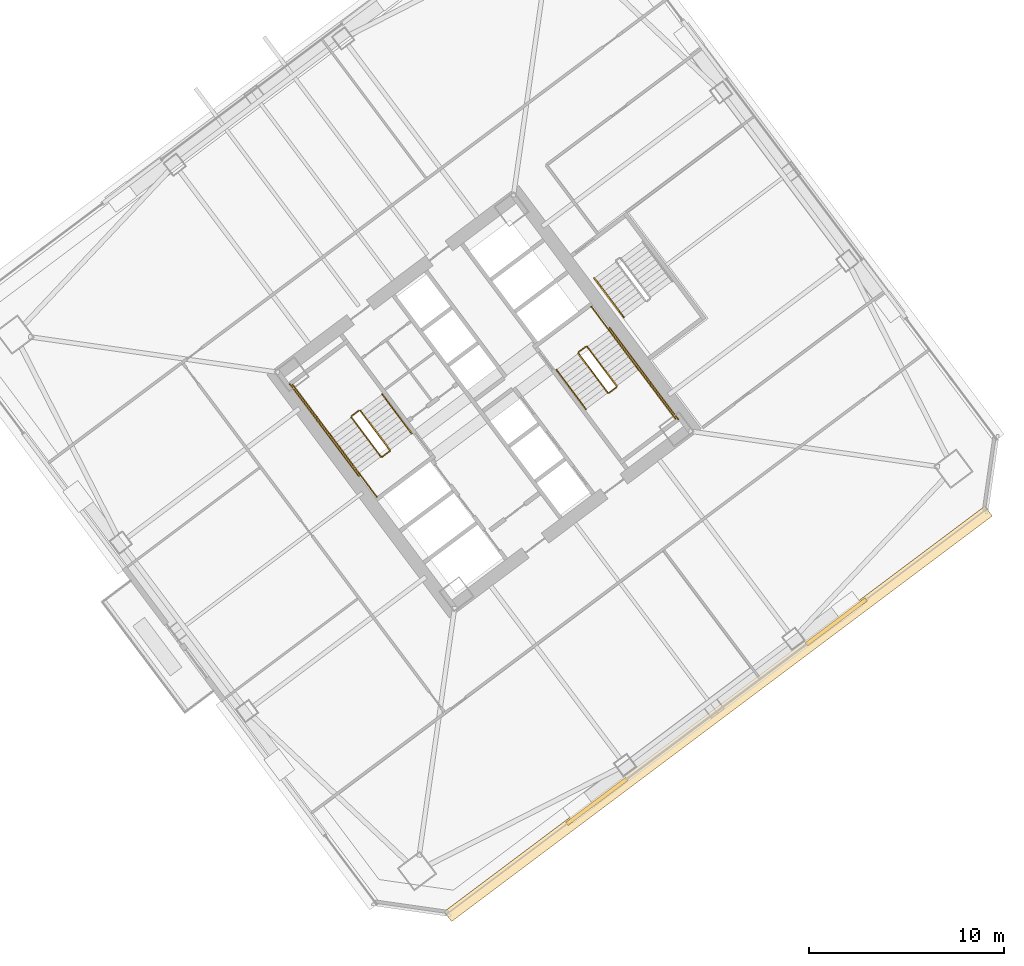
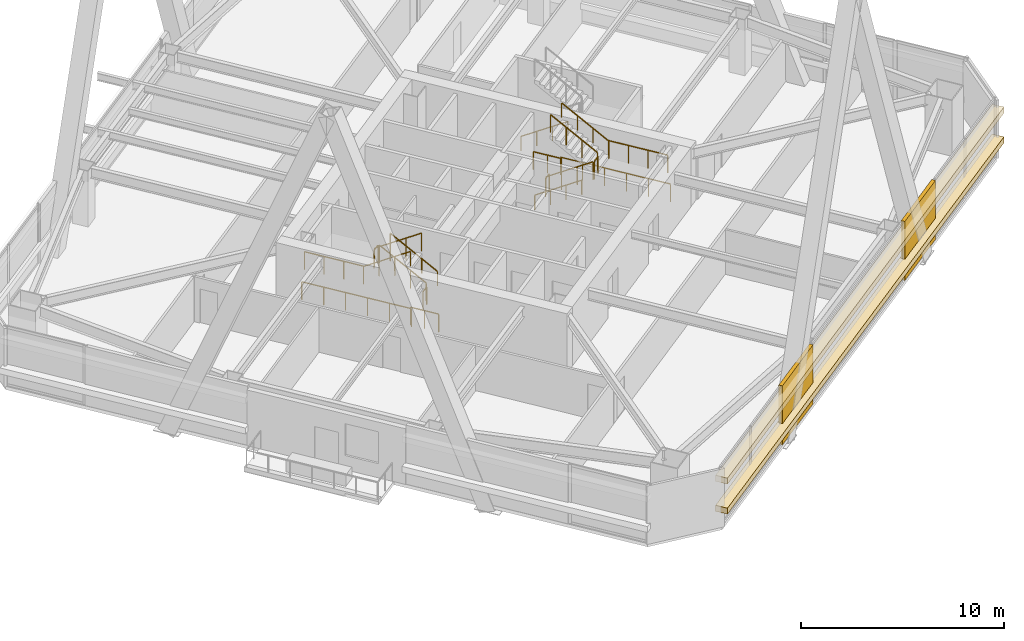
# One storey, part 51 of 54: 19 railings, 4 coverings.
"""IFC4 building model written with IfcOpenShell, lengths in metres."""

from ifc_helpers import new_model, si_unit, direction, frame, origin, origin_2d, place, context, subcontext, project, spatial, rectangle, extrude, material, layer, layer_set, type_object, element, save


model = new_model("IFC4")

# Units and contexts
model_context = context("Model", 3, precision=1e-05, world=origin(), true_north=direction((0.0, 1.0)))
body_context = subcontext(model_context, "Body", "Model", "MODEL_VIEW")
ifc_project = project(units=[si_unit("LENGTHUNIT", "METRE"), si_unit("AREAUNIT", "SQUARE_METRE"), si_unit("VOLUMEUNIT", "CUBIC_METRE"), si_unit("PLANEANGLEUNIT", "RADIAN"), si_unit("MASSUNIT", "GRAM", prefix="KILO")], contexts=[model_context])

# Site, building, storey
site_placement = place(None, origin())
site = spatial("IfcSite", under=ifc_project, at=site_placement, CompositionType="ELEMENT")
building_placement = place(site_placement, origin())
building = spatial("IfcBuilding", under=site, at=building_placement, Name="Tashvorn Skyway Center", CompositionType="ELEMENT")
storey_placement = place(building_placement, frame((0.0, 0.0, 88.5)))
storey = spatial("IfcBuildingStorey", under=building, at=storey_placement, Name="L23", CompositionType="ELEMENT", Elevation=88.5)

# Coverings
ifc_material_1 = material(Name="Precast concrete C40/50", Category="concrete")
ifc_layer_1 = layer(ifc_material_1, 0.199951171875)
ifc_layer_set_1 = layer_set([ifc_layer_1], Name="Precast concrete C40/50")
covering_type_1 = type_object("IfcCoveringType", Name="COV-BRACE-CLAD", PredefinedType="CLADDING", material=ifc_layer_set_1)
for number, where, z_axis, x_axis, name in (
    (1, (132.072021484375, 20.7041015625, 0.0), (0.0, 0.0, 1.0), (-0.799999996291, -0.600000004945, 0.0), "Tower 2 L23 South Unitised Curtain Wall Mega-Brace Cladding Band 1"),
    (2, (119.783935546875, 11.488037109375, 0.0), (0.0, 0.0, 1.0), (-0.799999996291, -0.600000004945, 0.0), "Tower 2 L23 South Unitised Curtain Wall Mega-Brace Cladding Band 2"),
):
    element("IfcCovering", number, at=place(storey_placement, frame(where, z_axis=z_axis, x_axis=x_axis)), inside=storey, type_object=covering_type_1, Name=name, PredefinedType="CLADDING", context=body_context, shape_type="SweptSolid", body=[
        extrude(rectangle(XDim=3.840087890625, YDim=0.199951171875, at=origin_2d()), origin(), (0.0, 0.0, 1.0), 3.550048828125),
    ])
ifc_material_2 = material(Name="Perforated ceramic-coated bronze aluminium solar screen", Category="aluminium")
ifc_layer_2 = layer(ifc_material_2, 0.85009765625)
ifc_layer_set_2 = layer_set([ifc_layer_2], Name="Perforated ceramic-coated bronze aluminium solar screen")
covering_type_2 = type_object("IfcCoveringType", Name="COV-SOLAR-BAND", PredefinedType="CLADDING", material=ifc_layer_set_2)
for number, where, z_axis, x_axis, name in (
    (3, (126.011962890625, 15.98388671875, 0.919921875), (0.0, 0.0, 1.0), (-0.799999996291, -0.600000004945, 0.0), "L23 Perforated Ceramic-Metal Solar Screen Louvre Band South 1"),
    (4, (126.011962890625, 15.98388671875, 2.7197265625), (0.0, 0.0, 1.0), (-0.799999996291, -0.600000004945, 0.0), "L23 Perforated Ceramic-Metal Solar Screen Louvre Band South 2"),
):
    element("IfcCovering", number, at=place(storey_placement, frame(where, z_axis=z_axis, x_axis=x_axis)), inside=storey, type_object=covering_type_2, Name=name, PredefinedType="CLADDING", context=body_context, shape_type="SweptSolid", body=[
        extrude(rectangle(XDim=34.679931640625, YDim=0.639892578125, at=origin_2d()), origin(), (0.0, 0.0, 1.0), 0.360107421875),
    ])

# Railings
ifc_material_3 = material(Name="Brushed stainless steel 316", Category="steel")
railing_type_1 = type_object("IfcRailingType", Name="RAIL-HAND-920", PredefinedType="HANDRAIL", material=ifc_material_3)
railing_1_placement = place(storey_placement, frame((110.2880859375, 30.365966796875, 0.177490234375)))
element("IfcRailing", 5, at=railing_1_placement, inside=storey, type_object=railing_type_1, Name="L23 ST-T2-1 stair handrail 1", PredefinedType="HANDRAIL", context=body_context, shape_type="SweptSolid", body=[
    extrude(rectangle(XDim=0.048095703125, YDim=0.048095703125, at=origin_2d()), frame((0.0, 0.0, 0.8759765625), z_axis=(-0.506801609611, 0.675680931896, 0.535357270211), x_axis=(-0.799976749893, -0.600030998891, 0.0)), (0.0, 0.0, 1.0), 2.98388671875),
    extrude(rectangle(XDim=0.0419921875, YDim=0.0419921875, at=origin_2d()), origin(), (0.0, 0.0, 1.0), 0.851806640625),
    extrude(rectangle(XDim=0.0419921875, YDim=0.0419921875, at=origin_2d()), frame((-0.504150390625, 0.672119140625, 0.532470703125)), (0.0, 0.0, 1.0), 0.851806640625),
    extrude(rectangle(XDim=0.0419921875, YDim=0.0419921875, at=origin_2d()), frame((-1.008056640625, 1.343994140625, 1.06494140625)), (0.0, 0.0, 1.0), 0.851806640625),
    extrude(rectangle(XDim=0.0419921875, YDim=0.0419921875, at=origin_2d()), frame((-1.51220703125, 2.01611328125, 1.597412109375)), (0.0, 0.0, 1.0), 0.851806640625),
])
railing_2_placement = place(storey_placement, frame((106.072021484375, 30.35400390625, 1.952392578125)))
element("IfcRailing", 6, at=railing_2_placement, inside=storey, type_object=railing_type_1, Name="L23 ST-T2-1 stair handrail 2", PredefinedType="HANDRAIL", context=body_context, shape_type="SweptSolid", body=[
    extrude(rectangle(XDim=0.048095703125, YDim=0.048095703125, at=origin_2d()), frame((0.0, 0.0, 0.8759765625), z_axis=(0.506718600913, -0.675679348675, 0.535437836974), x_axis=(0.800023250257, 0.599968998406, 0.0)), (0.0, 0.0, 1.0), 2.98388671875),
    extrude(rectangle(XDim=0.0419921875, YDim=0.0419921875, at=origin_2d()), origin(), (0.0, 0.0, 1.0), 0.851806640625),
    extrude(rectangle(XDim=0.0419921875, YDim=0.0419921875, at=origin_2d()), frame((0.50390625, -0.672119140625, 0.532470703125)), (0.0, 0.0, 1.0), 0.851806640625),
    extrude(rectangle(XDim=0.0419921875, YDim=0.0419921875, at=origin_2d()), frame((1.008056640625, -1.343994140625, 1.065185546875)), (0.0, 0.0, 1.0), 0.851806640625),
    extrude(rectangle(XDim=0.0419921875, YDim=0.0419921875, at=origin_2d()), frame((1.511962890625, -2.01611328125, 1.59765625)), (0.0, 0.0, 1.0), 0.851806640625),
])
railing_3_placement = place(storey_placement, frame((117.7119140625, 33.634033203125, 0.177490234375)))
element("IfcRailing", 7, at=railing_3_placement, inside=storey, type_object=railing_type_1, Name="L23 ST-T2-2 stair handrail 1", PredefinedType="HANDRAIL", context=body_context, shape_type="SweptSolid", body=[
    extrude(rectangle(XDim=0.048095703125, YDim=0.048095703125, at=origin_2d()), frame((0.0, 0.0, 0.8759765625), z_axis=(0.506801609611, -0.675680931896, 0.535357270211), x_axis=(0.799976749893, 0.600030998891, 0.0)), (0.0, 0.0, 1.0), 2.98388671875),
    extrude(rectangle(XDim=0.0419921875, YDim=0.0419921875, at=origin_2d()), origin(), (0.0, 0.0, 1.0), 0.851806640625),
    extrude(rectangle(XDim=0.0419921875, YDim=0.0419921875, at=origin_2d()), frame((0.504150390625, -0.672119140625, 0.532470703125)), (0.0, 0.0, 1.0), 0.851806640625),
    extrude(rectangle(XDim=0.0419921875, YDim=0.0419921875, at=origin_2d()), frame((1.008056640625, -1.343994140625, 1.06494140625)), (0.0, 0.0, 1.0), 0.851806640625),
    extrude(rectangle(XDim=0.0419921875, YDim=0.0419921875, at=origin_2d()), frame((1.51220703125, -2.01611328125, 1.597412109375)), (0.0, 0.0, 1.0), 0.851806640625),
])
railing_4_placement = place(storey_placement, frame((121.927978515625, 33.64599609375, 1.952392578125)))
element("IfcRailing", 8, at=railing_4_placement, inside=storey, type_object=railing_type_1, Name="L23 ST-T2-2 stair handrail 2", PredefinedType="HANDRAIL", context=body_context, shape_type="SweptSolid", body=[
    extrude(rectangle(XDim=0.048095703125, YDim=0.048095703125, at=origin_2d()), frame((0.0, 0.0, 0.8759765625), z_axis=(-0.506718600913, 0.675679348675, 0.535437836974), x_axis=(-0.800023250257, -0.599968998406, 0.0)), (0.0, 0.0, 1.0), 2.98388671875),
    extrude(rectangle(XDim=0.0419921875, YDim=0.0419921875, at=origin_2d()), origin(), (0.0, 0.0, 1.0), 0.851806640625),
    extrude(rectangle(XDim=0.0419921875, YDim=0.0419921875, at=origin_2d()), frame((-0.50390625, 0.672119140625, 0.532470703125)), (0.0, 0.0, 1.0), 0.851806640625),
    extrude(rectangle(XDim=0.0419921875, YDim=0.0419921875, at=origin_2d()), frame((-1.008056640625, 1.343994140625, 1.065185546875)), (0.0, 0.0, 1.0), 0.851806640625),
    extrude(rectangle(XDim=0.0419921875, YDim=0.0419921875, at=origin_2d()), frame((-1.511962890625, 2.01611328125, 1.59765625)), (0.0, 0.0, 1.0), 0.851806640625),
])
railing_5_placement = place(storey_placement, frame((119.656005859375, 38.342041015625, 0.177490234375)))
element("IfcRailing", 9, at=railing_5_placement, inside=storey, type_object=railing_type_1, Name="L23 ST-T2-3 stair handrail 1", PredefinedType="HANDRAIL", context=body_context, shape_type="SweptSolid", body=[
    extrude(rectangle(XDim=0.048095703125, YDim=0.048095703125, at=origin_2d()), frame((0.0, 0.0, 0.8759765625), z_axis=(0.506740800098, -0.675708949977, 0.535379469569), x_axis=(0.800023250257, 0.599968998406, 0.0)), (0.0, 0.0, 1.0), 2.983642578125),
    extrude(rectangle(XDim=0.0419921875, YDim=0.0419921875, at=origin_2d()), origin(), (0.0, 0.0, 1.0), 0.851806640625),
    extrude(rectangle(XDim=0.0419921875, YDim=0.0419921875, at=origin_2d()), frame((0.50390625, -0.672119140625, 0.532470703125)), (0.0, 0.0, 1.0), 0.851806640625),
    extrude(rectangle(XDim=0.0419921875, YDim=0.0419921875, at=origin_2d()), frame((1.008056640625, -1.343994140625, 1.06494140625)), (0.0, 0.0, 1.0), 0.851806640625),
    extrude(rectangle(XDim=0.0419921875, YDim=0.0419921875, at=origin_2d()), frame((1.511962890625, -2.01611328125, 1.597412109375)), (0.0, 0.0, 1.0), 0.851806640625),
])
ifc_material_4 = material(Name="Painted galvanized steel S355", Category="steel")
railing_type_2 = type_object("IfcRailingType", Name="RAIL-STGUARD-1100", PredefinedType="GUARDRAIL", material=ifc_material_4)
railing_6_placement = place(storey_placement, frame((109.16796875, 29.52587890625, 0.177490234375)))
element("IfcRailing", 10, at=railing_6_placement, inside=storey, type_object=railing_type_2, Name="L23 ST-T2-1 stair guard 1", PredefinedType="GUARDRAIL", context=body_context, shape_type="SweptSolid", body=[
    extrude(rectangle(XDim=0.048095703125, YDim=0.048095703125, at=origin_2d()), frame((0.0, 0.0, 1.076171875), z_axis=(-0.506740800098, 0.675708949977, 0.535379469569), x_axis=(-0.800023250257, -0.599968998406, 0.0)), (0.0, 0.0, 1.0), 2.983642578125),
    extrude(rectangle(XDim=0.0419921875, YDim=0.0419921875, at=origin_2d()), origin(), (0.0, 0.0, 1.0), 1.052001953125),
    extrude(rectangle(XDim=0.0419921875, YDim=0.0419921875, at=origin_2d()), frame((-0.50390625, 0.672119140625, 0.532470703125)), (0.0, 0.0, 1.0), 1.052001953125),
    extrude(rectangle(XDim=0.0419921875, YDim=0.0419921875, at=origin_2d()), frame((-1.008056640625, 1.343994140625, 1.06494140625)), (0.0, 0.0, 1.0), 1.052001953125),
    extrude(rectangle(XDim=0.0419921875, YDim=0.0419921875, at=origin_2d()), frame((-1.511962890625, 2.01611328125, 1.597412109375)), (0.0, 0.0, 1.0), 1.052001953125),
])
railing_7_placement = place(storey_placement, frame((107.5859375, 31.552001953125, 1.77490234375)))
element("IfcRailing", 11, at=railing_7_placement, inside=storey, type_object=railing_type_2, Name="L23 ST-T2-1 stair guard 2", PredefinedType="GUARDRAIL", context=body_context, shape_type="SweptSolid", body=[
    extrude(rectangle(XDim=0.048095703125, YDim=0.048095703125, at=origin_2d()), frame((0.0, 0.0, 1.076171875), z_axis=(-0.799938970639, -0.600081363861, 0.0), x_axis=(0.600081363861, -0.799938970639, 0.0)), (0.0, 0.0, 1.0), 0.47998046875),
    extrude(rectangle(XDim=0.0419921875, YDim=0.0419921875, at=origin_2d()), origin(), (0.0, 0.0, 1.0), 1.052001953125),
    extrude(rectangle(XDim=0.0419921875, YDim=0.0419921875, at=origin_2d()), frame((-0.384033203125, -0.2880859375, 0.0)), (0.0, 0.0, 1.0), 1.052001953125),
])
railing_8_placement = place(storey_placement, frame((106.072021484375, 30.35400390625, 1.77490234375)))
element("IfcRailing", 12, at=railing_8_placement, inside=storey, type_object=railing_type_2, Name="L23 ST-T2-1 stair guard 3", PredefinedType="GUARDRAIL", context=body_context, shape_type="SweptSolid", body=[
    extrude(rectangle(XDim=0.048095703125, YDim=0.048095703125, at=origin_2d()), frame((0.0, 0.0, 1.076171875), z_axis=(-0.599987638607, 0.800009270896, 0.0), x_axis=(-0.800009270896, -0.599987638607, 0.0)), (0.0, 0.0, 1.0), 3.16015625),
    extrude(rectangle(XDim=0.0419921875, YDim=0.0419921875, at=origin_2d()), origin(), (0.0, 0.0, 1.0), 1.052001953125),
    extrude(rectangle(XDim=0.0419921875, YDim=0.0419921875, at=origin_2d()), frame((-0.632080078125, 0.8427734375, 0.0)), (0.0, 0.0, 1.0), 1.052001953125),
    extrude(rectangle(XDim=0.0419921875, YDim=0.0419921875, at=origin_2d()), frame((-1.263916015625, 1.685302734375, 0.0)), (0.0, 0.0, 1.0), 1.052001953125),
    extrude(rectangle(XDim=0.0419921875, YDim=0.0419921875, at=origin_2d()), frame((-1.89599609375, 2.528076171875, 0.0)), (0.0, 0.0, 1.0), 1.052001953125),
])
railing_9_placement = place(storey_placement, frame((107.19189453125, 31.194091796875, 1.952392578125)))
element("IfcRailing", 13, at=railing_9_placement, inside=storey, type_object=railing_type_2, Name="L23 ST-T2-1 stair guard 4", PredefinedType="GUARDRAIL", context=body_context, shape_type="SweptSolid", body=[
    extrude(rectangle(XDim=0.048095703125, YDim=0.048095703125, at=origin_2d()), frame((0.0, 0.0, 1.076171875), z_axis=(0.506779409603, -0.675651334276, 0.53541563714), x_axis=(0.799976749893, 0.600030998891, 0.0)), (0.0, 0.0, 1.0), 2.98388671875),
    extrude(rectangle(XDim=0.0419921875, YDim=0.0419921875, at=origin_2d()), origin(), (0.0, 0.0, 1.0), 1.052001953125),
    extrude(rectangle(XDim=0.0419921875, YDim=0.0419921875, at=origin_2d()), frame((0.504150390625, -0.672119140625, 0.532470703125)), (0.0, 0.0, 1.0), 1.052001953125),
    extrude(rectangle(XDim=0.0419921875, YDim=0.0419921875, at=origin_2d()), frame((1.008056640625, -1.343994140625, 1.065185546875)), (0.0, 0.0, 1.0), 1.052001953125),
    extrude(rectangle(XDim=0.0419921875, YDim=0.0419921875, at=origin_2d()), frame((1.51220703125, -2.01611328125, 1.59765625)), (0.0, 0.0, 1.0), 1.052001953125),
])
railing_10_placement = place(storey_placement, frame((109.157958984375, 29.4560546875, 0.0)))
element("IfcRailing", 14, at=railing_10_placement, inside=storey, type_object=railing_type_2, Name="L23 ST-T2-1 stair guard 5", PredefinedType="GUARDRAIL", context=body_context, shape_type="SweptSolid", body=[
    extrude(rectangle(XDim=0.048095703125, YDim=0.048095703125, at=origin_2d()), frame((0.0, 0.0, 1.076171875), z_axis=(-0.799938970639, -0.600081363861, 0.0), x_axis=(0.600081363861, -0.799938970639, 0.0)), (0.0, 0.0, 1.0), 0.47998046875),
    extrude(rectangle(XDim=0.0419921875, YDim=0.0419921875, at=origin_2d()), origin(), (0.0, 0.0, 1.0), 1.052001953125),
    extrude(rectangle(XDim=0.0419921875, YDim=0.0419921875, at=origin_2d()), frame((-0.384033203125, -0.2880859375, 0.0)), (0.0, 0.0, 1.0), 1.052001953125),
])
railing_11_placement = place(storey_placement, frame((108.49609375, 27.1220703125, 0.0)))
element("IfcRailing", 15, at=railing_11_placement, inside=storey, type_object=railing_type_2, Name="L23 ST-T2-1 stair guard 6", PredefinedType="GUARDRAIL", context=body_context, shape_type="SweptSolid", body=[
    extrude(rectangle(XDim=0.048095703125, YDim=0.048095703125, at=origin_2d()), frame((0.0, 0.0, 1.076171875), z_axis=(-0.600102796382, 0.799922892393, 0.0), x_axis=(-0.799922892393, -0.600102796382, 0.0)), (0.0, 0.0, 1.0), 1.52001953125),
    extrude(rectangle(XDim=0.0419921875, YDim=0.0419921875, at=origin_2d()), origin(), (0.0, 0.0, 1.0), 1.052001953125),
    extrude(rectangle(XDim=0.0419921875, YDim=0.0419921875, at=origin_2d()), frame((-0.4560546875, 0.60791015625, 0.0)), (0.0, 0.0, 1.0), 1.052001953125),
    extrude(rectangle(XDim=0.0419921875, YDim=0.0419921875, at=origin_2d()), frame((-0.912109375, 1.2158203125, 0.0)), (0.0, 0.0, 1.0), 1.052001953125),
])
railing_12_placement = place(storey_placement, frame((107.56396484375, 28.197998046875, 0.0)))
element("IfcRailing", 16, at=railing_12_placement, inside=storey, type_object=railing_type_2, Name="L23 ST-T2-1 stair guard 7", PredefinedType="GUARDRAIL", context=body_context, shape_type="SweptSolid", body=[
    extrude(rectangle(XDim=0.048095703125, YDim=0.048095703125, at=origin_2d()), frame((0.0, 0.0, 1.076171875), z_axis=(-0.6, 0.8, 0.0), x_axis=(-0.8, -0.6, 0.0)), (0.0, 0.0, 1.0), 5.880126953125),
    extrude(rectangle(XDim=0.0419921875, YDim=0.0419921875, at=origin_2d()), origin(), (0.0, 0.0, 1.0), 1.052001953125),
    extrude(rectangle(XDim=0.0419921875, YDim=0.0419921875, at=origin_2d()), frame((-0.70556640625, 0.94091796875, 0.0)), (0.0, 0.0, 1.0), 1.052001953125),
    extrude(rectangle(XDim=0.0419921875, YDim=0.0419921875, at=origin_2d()), frame((-1.4111328125, 1.881591796875, 0.0)), (0.0, 0.0, 1.0), 1.052001953125),
    extrude(rectangle(XDim=0.0419921875, YDim=0.0419921875, at=origin_2d()), frame((-2.116943359375, 2.822509765625, 0.0)), (0.0, 0.0, 1.0), 1.052001953125),
    extrude(rectangle(XDim=0.0419921875, YDim=0.0419921875, at=origin_2d()), frame((-2.822509765625, 3.76318359375, 0.0)), (0.0, 0.0, 1.0), 1.052001953125),
    extrude(rectangle(XDim=0.0419921875, YDim=0.0419921875, at=origin_2d()), frame((-3.528076171875, 4.7041015625, 0.0)), (0.0, 0.0, 1.0), 1.052001953125),
])
railing_13_placement = place(storey_placement, frame((118.83203125, 34.47412109375, 0.177490234375)))
element("IfcRailing", 17, at=railing_13_placement, inside=storey, type_object=railing_type_2, Name="L23 ST-T2-2 stair guard 1", PredefinedType="GUARDRAIL", context=body_context, shape_type="SweptSolid", body=[
    extrude(rectangle(XDim=0.048095703125, YDim=0.048095703125, at=origin_2d()), frame((0.0, 0.0, 1.076171875), z_axis=(0.506740800098, -0.675708949977, 0.535379469569), x_axis=(0.800023250257, 0.599968998406, 0.0)), (0.0, 0.0, 1.0), 2.983642578125),
    extrude(rectangle(XDim=0.0419921875, YDim=0.0419921875, at=origin_2d()), origin(), (0.0, 0.0, 1.0), 1.052001953125),
    extrude(rectangle(XDim=0.0419921875, YDim=0.0419921875, at=origin_2d()), frame((0.50390625, -0.672119140625, 0.532470703125)), (0.0, 0.0, 1.0), 1.052001953125),
    extrude(rectangle(XDim=0.0419921875, YDim=0.0419921875, at=origin_2d()), frame((1.008056640625, -1.343994140625, 1.06494140625)), (0.0, 0.0, 1.0), 1.052001953125),
    extrude(rectangle(XDim=0.0419921875, YDim=0.0419921875, at=origin_2d()), frame((1.511962890625, -2.01611328125, 1.597412109375)), (0.0, 0.0, 1.0), 1.052001953125),
])
railing_14_placement = place(storey_placement, frame((120.4140625, 32.447998046875, 1.77490234375)))
element("IfcRailing", 18, at=railing_14_placement, inside=storey, type_object=railing_type_2, Name="L23 ST-T2-2 stair guard 2", PredefinedType="GUARDRAIL", context=body_context, shape_type="SweptSolid", body=[
    extrude(rectangle(XDim=0.048095703125, YDim=0.048095703125, at=origin_2d()), frame((0.0, 0.0, 1.076171875), z_axis=(0.799938970639, 0.600081363861, 0.0), x_axis=(-0.600081363861, 0.799938970639, 0.0)), (0.0, 0.0, 1.0), 0.47998046875),
    extrude(rectangle(XDim=0.0419921875, YDim=0.0419921875, at=origin_2d()), origin(), (0.0, 0.0, 1.0), 1.052001953125),
    extrude(rectangle(XDim=0.0419921875, YDim=0.0419921875, at=origin_2d()), frame((0.384033203125, 0.2880859375, 0.0)), (0.0, 0.0, 1.0), 1.052001953125),
])
railing_15_placement = place(storey_placement, frame((121.927978515625, 33.64599609375, 1.77490234375)))
element("IfcRailing", 19, at=railing_15_placement, inside=storey, type_object=railing_type_2, Name="L23 ST-T2-2 stair guard 3", PredefinedType="GUARDRAIL", context=body_context, shape_type="SweptSolid", body=[
    extrude(rectangle(XDim=0.048095703125, YDim=0.048095703125, at=origin_2d()), frame((0.0, 0.0, 1.076171875), z_axis=(0.599987638607, -0.800009270896, 0.0), x_axis=(0.800009270896, 0.599987638607, 0.0)), (0.0, 0.0, 1.0), 3.16015625),
    extrude(rectangle(XDim=0.0419921875, YDim=0.0419921875, at=origin_2d()), origin(), (0.0, 0.0, 1.0), 1.052001953125),
    extrude(rectangle(XDim=0.0419921875, YDim=0.0419921875, at=origin_2d()), frame((0.632080078125, -0.8427734375, 0.0)), (0.0, 0.0, 1.0), 1.052001953125),
    extrude(rectangle(XDim=0.0419921875, YDim=0.0419921875, at=origin_2d()), frame((1.263916015625, -1.685302734375, 0.0)), (0.0, 0.0, 1.0), 1.052001953125),
    extrude(rectangle(XDim=0.0419921875, YDim=0.0419921875, at=origin_2d()), frame((1.89599609375, -2.528076171875, 0.0)), (0.0, 0.0, 1.0), 1.052001953125),
])
railing_16_placement = place(storey_placement, frame((120.80810546875, 32.805908203125, 1.952392578125)))
element("IfcRailing", 20, at=railing_16_placement, inside=storey, type_object=railing_type_2, Name="L23 ST-T2-2 stair guard 4", PredefinedType="GUARDRAIL", context=body_context, shape_type="SweptSolid", body=[
    extrude(rectangle(XDim=0.048095703125, YDim=0.048095703125, at=origin_2d()), frame((0.0, 0.0, 1.076171875), z_axis=(-0.506779409603, 0.675651334276, 0.53541563714), x_axis=(-0.799976749893, -0.600030998891, 0.0)), (0.0, 0.0, 1.0), 2.98388671875),
    extrude(rectangle(XDim=0.0419921875, YDim=0.0419921875, at=origin_2d()), origin(), (0.0, 0.0, 1.0), 1.052001953125),
    extrude(rectangle(XDim=0.0419921875, YDim=0.0419921875, at=origin_2d()), frame((-0.504150390625, 0.672119140625, 0.532470703125)), (0.0, 0.0, 1.0), 1.052001953125),
    extrude(rectangle(XDim=0.0419921875, YDim=0.0419921875, at=origin_2d()), frame((-1.008056640625, 1.343994140625, 1.065185546875)), (0.0, 0.0, 1.0), 1.052001953125),
    extrude(rectangle(XDim=0.0419921875, YDim=0.0419921875, at=origin_2d()), frame((-1.51220703125, 2.01611328125, 1.59765625)), (0.0, 0.0, 1.0), 1.052001953125),
])
railing_17_placement = place(storey_placement, frame((118.842041015625, 34.5439453125, 0.0)))
element("IfcRailing", 21, at=railing_17_placement, inside=storey, type_object=railing_type_2, Name="L23 ST-T2-2 stair guard 5", PredefinedType="GUARDRAIL", context=body_context, shape_type="SweptSolid", body=[
    extrude(rectangle(XDim=0.048095703125, YDim=0.048095703125, at=origin_2d()), frame((0.0, 0.0, 1.076171875), z_axis=(0.799938970639, 0.600081363861, 0.0), x_axis=(-0.600081363861, 0.799938970639, 0.0)), (0.0, 0.0, 1.0), 0.47998046875),
    extrude(rectangle(XDim=0.0419921875, YDim=0.0419921875, at=origin_2d()), origin(), (0.0, 0.0, 1.0), 1.052001953125),
    extrude(rectangle(XDim=0.0419921875, YDim=0.0419921875, at=origin_2d()), frame((0.384033203125, 0.2880859375, 0.0)), (0.0, 0.0, 1.0), 1.052001953125),
])
railing_18_placement = place(storey_placement, frame((119.50390625, 36.8779296875, 0.0)))
element("IfcRailing", 22, at=railing_18_placement, inside=storey, type_object=railing_type_2, Name="L23 ST-T2-2 stair guard 6", PredefinedType="GUARDRAIL", context=body_context, shape_type="SweptSolid", body=[
    extrude(rectangle(XDim=0.048095703125, YDim=0.048095703125, at=origin_2d()), frame((0.0, 0.0, 1.076171875), z_axis=(0.600102796382, -0.799922892393, 0.0), x_axis=(0.799922892393, 0.600102796382, 0.0)), (0.0, 0.0, 1.0), 1.52001953125),
    extrude(rectangle(XDim=0.0419921875, YDim=0.0419921875, at=origin_2d()), origin(), (0.0, 0.0, 1.0), 1.052001953125),
    extrude(rectangle(XDim=0.0419921875, YDim=0.0419921875, at=origin_2d()), frame((0.4560546875, -0.60791015625, 0.0)), (0.0, 0.0, 1.0), 1.052001953125),
    extrude(rectangle(XDim=0.0419921875, YDim=0.0419921875, at=origin_2d()), frame((0.912109375, -1.2158203125, 0.0)), (0.0, 0.0, 1.0), 1.052001953125),
])
railing_19_placement = place(storey_placement, frame((120.43603515625, 35.802001953125, 0.0)))
element("IfcRailing", 23, at=railing_19_placement, inside=storey, type_object=railing_type_2, Name="L23 ST-T2-2 stair guard 7", PredefinedType="GUARDRAIL", context=body_context, shape_type="SweptSolid", body=[
    extrude(rectangle(XDim=0.048095703125, YDim=0.048095703125, at=origin_2d()), frame((0.0, 0.0, 1.076171875), z_axis=(0.6, -0.8, 0.0), x_axis=(0.8, 0.6, 0.0)), (0.0, 0.0, 1.0), 5.880126953125),
    extrude(rectangle(XDim=0.0419921875, YDim=0.0419921875, at=origin_2d()), origin(), (0.0, 0.0, 1.0), 1.052001953125),
    extrude(rectangle(XDim=0.0419921875, YDim=0.0419921875, at=origin_2d()), frame((0.70556640625, -0.94091796875, 0.0)), (0.0, 0.0, 1.0), 1.052001953125),
    extrude(rectangle(XDim=0.0419921875, YDim=0.0419921875, at=origin_2d()), frame((1.4111328125, -1.881591796875, 0.0)), (0.0, 0.0, 1.0), 1.052001953125),
    extrude(rectangle(XDim=0.0419921875, YDim=0.0419921875, at=origin_2d()), frame((2.116943359375, -2.822509765625, 0.0)), (0.0, 0.0, 1.0), 1.052001953125),
    extrude(rectangle(XDim=0.0419921875, YDim=0.0419921875, at=origin_2d()), frame((2.822509765625, -3.76318359375, 0.0)), (0.0, 0.0, 1.0), 1.052001953125),
    extrude(rectangle(XDim=0.0419921875, YDim=0.0419921875, at=origin_2d()), frame((3.528076171875, -4.7041015625, 0.0)), (0.0, 0.0, 1.0), 1.052001953125),
])

save(model, "model.ifc")
